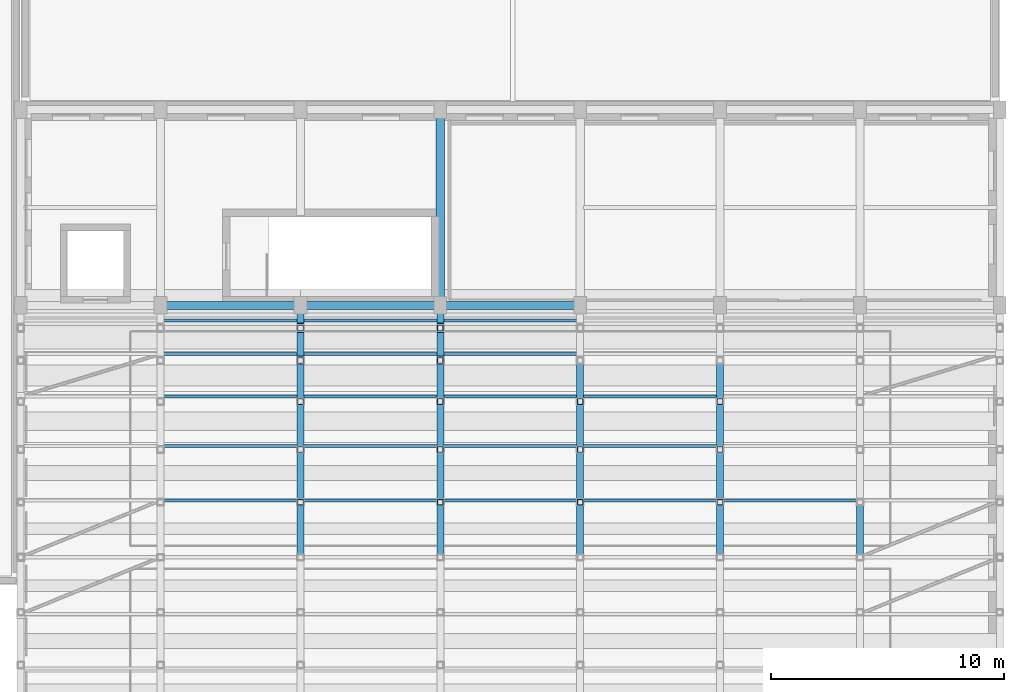
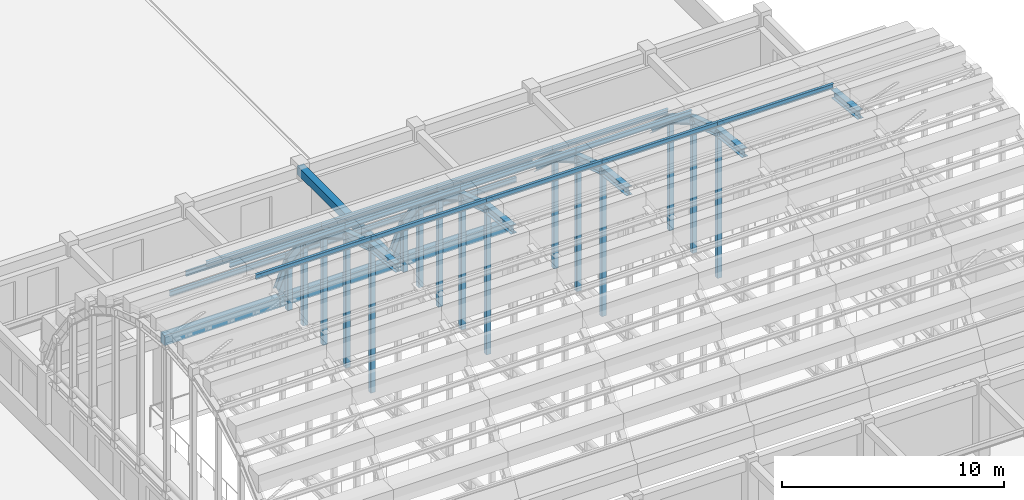
# One storey, part 9 of 46: 35 members, 25 beams.
"""IFC4 building model written with IfcOpenShell, lengths in metres."""

import ifcopenshell
import ifcopenshell.guid

model = None  # the IFC model being written
_history = None  # IfcOwnerHistory: only IFC2X3 demands one
_inside = {}  # id of a spatial element -> (the spatial element, [elements in it])
_under = {}  # id of a project, library or spatial element -> (it, [spatial elements below it])
_declared = {}  # id of a project -> (the project, [libraries it declares])
_typed = {}  # id of a type object -> (the type object, [elements of that type])
_made_of = {}  # id of a material, layer set ... -> (it, [elements and type objects made of it])


def new_model(schema):
    """Start an empty IFC model of exactly this schema.

    Asked for "IFC4X3", IfcOpenShell would pick the latest addendum, in which some entities
    have other attributes; the version numbers below select the first issue.
    IFC2X3 requires an IfcOwnerHistory on every rooted entity: one is made here for all.
    """
    global model, _history
    if schema == "IFC4X3":
        model = ifcopenshell.file(schema_version=(4, 3, 0, 0))
    else:
        model = ifcopenshell.file(schema=schema)
    _inside.clear()
    _under.clear()
    _declared.clear()
    _typed.clear()
    _made_of.clear()
    _history = None
    if model.schema == "IFC2X3":
        org = make("IfcOrganization", Name="unknown")
        user = make(
            "IfcPersonAndOrganization",
            ThePerson=make("IfcPerson", FamilyName="unknown"),
            TheOrganization=org,
        )
        app = make(
            "IfcApplication",
            ApplicationDeveloper=org,
            Version="unknown",
            ApplicationFullName="unknown",
            ApplicationIdentifier="unknown",
        )
        _history = make(
            "IfcOwnerHistory",
            OwningUser=user,
            OwningApplication=app,
            ChangeAction="ADDED",
            CreationDate=0,
        )
    return model


def make(cls, **values):
    """One entity of the class cls with the attributes given. An attribute that is None is left unset."""
    return model.create_entity(
        cls, **{name: value for name, value in values.items() if value is not None}
    )


def rooted(cls, **values):
    """An entity with a GlobalId (a new one), such as an element, a storey or a relation."""
    return make(cls, GlobalId=ifcopenshell.guid.new(), OwnerHistory=_history, **values)


def si_unit(unit_type, name, prefix=None):
    """IfcSIUnit, for example si_unit("LENGTHUNIT", "METRE", prefix="MILLI")."""
    return make("IfcSIUnit", UnitType=unit_type, Prefix=prefix, Name=name)


def assignment(units):
    """IfcUnitAssignment: the units of a project."""
    return None if units is None else make("IfcUnitAssignment", Units=units)


def point(xyz):
    """IfcCartesianPoint."""
    return None if xyz is None else make("IfcCartesianPoint", Coordinates=xyz)


def direction(xyz):
    """IfcDirection."""
    return None if xyz is None else make("IfcDirection", DirectionRatios=xyz)


def frame(location, z_axis=None, x_axis=None):
    """IfcAxis2Placement3D, a coordinate frame: its origin and axes. An axis left out is left unset."""
    return make(
        "IfcAxis2Placement3D",
        Location=point(location),
        Axis=direction(z_axis),
        RefDirection=direction(x_axis),
    )


def frame_2d(location, x_axis=None):
    """IfcAxis2Placement2D, a coordinate frame in the plane: its origin and x axis."""
    return make(
        "IfcAxis2Placement2D", Location=point(location), RefDirection=direction(x_axis)
    )


def origin():
    """The frame at (0, 0, 0) with its axes left unset."""
    return frame((0.0, 0.0, 0.0))


def origin_2d():
    """The frame at (0, 0) in the plane with its x axis left unset."""
    return frame_2d((0.0, 0.0))


def place(relative_to, where):
    """IfcLocalPlacement: puts the frame where relative to a parent placement (None: the world)."""
    return make(
        "IfcLocalPlacement", PlacementRelTo=relative_to, RelativePlacement=where
    )


def context(
    kind, dimensions, precision=None, world=None, true_north=None, identifier=None
):
    """IfcGeometricRepresentationContext, for example the 3D "Model" context."""
    return make(
        "IfcGeometricRepresentationContext",
        ContextIdentifier=identifier,
        ContextType=kind,
        CoordinateSpaceDimension=dimensions,
        Precision=precision,
        WorldCoordinateSystem=world,
        TrueNorth=true_north,
    )


def subcontext(parent, identifier, kind, view, scale=None):
    """IfcGeometricRepresentationSubContext, for example "Body" below "Model"."""
    return make(
        "IfcGeometricRepresentationSubContext",
        ContextIdentifier=identifier,
        ContextType=kind,
        ParentContext=parent,
        TargetScale=scale,
        TargetView=view,
    )


def project(units=None, contexts=None):
    """IfcProject with its units and contexts."""
    return rooted(
        "IfcProject",
        Name="project",
        RepresentationContexts=contexts,
        UnitsInContext=assignment(units),
    )


def spatial(cls, under=None, at=None, **own):
    """A site, building, storey or space (cls), placed at a placement, below another one or the project."""
    s = rooted(cls, ObjectPlacement=at, **own)
    if under is not None:
        _under.setdefault(under.id(), (under, []))[1].append(s)
    return s


def profile(cls, at=None, kind="AREA", **sizes):
    """A parametric profile (cls). Its sizes go by their IFC names, for example OverallWidth=200.0."""
    return make(cls, ProfileType=kind, Position=at, **sizes)


def rectangle(**sizes):
    """IfcRectangleProfileDef."""
    return profile("IfcRectangleProfileDef", **sizes)


def hollow_rectangle(**sizes):
    """IfcRectangleHollowProfileDef."""
    return profile("IfcRectangleHollowProfileDef", **sizes)


def i_section(**sizes):
    """IfcIShapeProfileDef."""
    return profile("IfcIShapeProfileDef", **sizes)


def extrude(swept, where, along, depth):
    """IfcExtrudedAreaSolid: the profile swept, set in the frame where, extruded along a direction by depth."""
    return make(
        "IfcExtrudedAreaSolid",
        SweptArea=swept,
        Position=where,
        ExtrudedDirection=direction(along),
        Depth=depth,
    )


def shape(context_of_items, identifier, shape_type, items):
    """IfcShapeRepresentation: the items that make up one representation, for example the "Body"."""
    return make(
        "IfcShapeRepresentation",
        ContextOfItems=context_of_items,
        RepresentationIdentifier=identifier,
        RepresentationType=shape_type,
        Items=items,
    )


def material(Name=None, Category=None):
    """IfcMaterial."""
    return make("IfcMaterial", Name=Name, Category=Category)


def material_profile(
    of_material, cross_section, Name=None, Category=None, Priority=None
):
    """IfcMaterialProfile: a cross section and its material."""
    return make(
        "IfcMaterialProfile",
        Name=Name,
        Material=of_material,
        Profile=cross_section,
        Priority=Priority,
        Category=Category,
    )


def profile_set(profiles, Name=None, composite=None):
    """IfcMaterialProfileSet."""
    return make(
        "IfcMaterialProfileSet",
        Name=Name,
        MaterialProfiles=profiles,
        CompositeProfile=composite,
    )


def made_of(thing, what):
    """Note that an element or type object is made of a material, layer set ...; save() writes the relation."""
    if what is not None:
        _made_of.setdefault(what.id(), (what, []))[1].append(thing)
    return thing


def type_object(cls, material=None, **own):
    """A type object (cls), such as IfcWallType, which elements share."""
    return made_of(rooted(cls, **own), material)


def element(
    cls,
    number,
    at=None,
    inside=None,
    cuts=None,
    type_object=None,
    material=None,
    context=None,
    identifier="Body",
    shape_type=None,
    held_by="IfcProductDefinitionShape",
    body=None,
    shapes=None,
    **own,
):
    """One element of the class cls, such as IfcWall. Its Tag is "e" and its number.

    at: its placement. inside: the storey or other place that contains it. cuts: it is an
    opening in that element (IfcRelVoidsElement). A single representation is given by context,
    identifier, shape_type and body (its items); several are given by shapes. held_by: the class
    of the entity that holds the representations. save() writes the other relations.
    """
    e = rooted(cls, Tag="e%d" % number, ObjectPlacement=at, **own)
    if body is not None:
        shapes = [shape(context, identifier, shape_type, body)]
    if shapes is not None:
        e.Representation = make(held_by, Representations=shapes)
    if inside is not None:
        _inside.setdefault(inside.id(), (inside, []))[1].append(e)
    if cuts is not None:
        rooted(
            "IfcRelVoidsElement", RelatingBuildingElement=cuts, RelatedOpeningElement=e
        )
    if type_object is not None:
        _typed.setdefault(type_object.id(), (type_object, []))[1].append(e)
    return made_of(e, material)


def aggregate(whole, parts):
    """IfcRelAggregates: a whole, such as a stair, and the parts it consists of."""
    return rooted("IfcRelAggregates", RelatingObject=whole, RelatedObjects=parts)


def save(model, path):
    """Write the relations noted so far, then the file.

    IfcRelAggregates (storeys below a building ...), IfcRelContainedInSpatialStructure (elements
    in a storey), IfcRelDefinesByType, IfcRelAssociatesMaterial and IfcRelDeclares: one each for
    every whole, place, type object, material and project.
    """
    for whole, parts in _under.values():
        aggregate(whole, parts)
    for where, things in _inside.values():
        rooted(
            "IfcRelContainedInSpatialStructure",
            RelatedElements=things,
            RelatingStructure=where,
        )
    for kind, things in _typed.values():
        rooted("IfcRelDefinesByType", RelatedObjects=things, RelatingType=kind)
    for what, things in _made_of.values():
        rooted("IfcRelAssociatesMaterial", RelatedObjects=things, RelatingMaterial=what)
    for by, libraries in _declared.values():
        rooted("IfcRelDeclares", RelatingContext=by, RelatedDefinitions=libraries)
    model.write(path)


model = new_model("IFC4")

# Units and contexts
model_context = context("Model", 3, precision=1e-05, world=origin(), true_north=direction((0.0, 1.0)))
body_context = subcontext(model_context, "Body", "Model", "MODEL_VIEW")
ifc_project = project(units=[si_unit("LENGTHUNIT", "METRE"), si_unit("AREAUNIT", "SQUARE_METRE"), si_unit("VOLUMEUNIT", "CUBIC_METRE"), si_unit("PLANEANGLEUNIT", "RADIAN"), si_unit("MASSUNIT", "GRAM", prefix="KILO")], contexts=[model_context])

# Site, building, storey
site_placement = place(None, origin())
site = spatial("IfcSite", under=ifc_project, at=site_placement, CompositionType="ELEMENT")
building_placement = place(site_placement, origin())
building = spatial("IfcBuilding", under=site, at=building_placement, Name="Tarnavel Promenade Courthouse", CompositionType="ELEMENT")
storey_placement = place(building_placement, frame((0.0, 0.0, 14.39990234375)))
storey = spatial("IfcBuildingStorey", under=building, at=storey_placement, Name="L04", CompositionType="ELEMENT", Elevation=14.39990234375)

# Beams
ifc_material_1 = material(Name="Concrete C40/50", Category="concrete")
ifc_material_profile_1 = material_profile(ifc_material_1, rectangle(XDim=0.35009765625, YDim=0.449951171875, at=origin_2d()), Name="RC 350x450")
ifc_profile_set_1 = profile_set([ifc_material_profile_1], Name="Concrete C40/50")
beam_type_1 = type_object("IfcBeamType", Name="Concrete C40/50 BM-RC-350x450 (RC 350x450)", PredefinedType="BEAM", material=ifc_profile_set_1)
beam_1_placement = place(storey_placement, frame((138.0, 58.800048828125, 3.72998046875), z_axis=(0.0, 1.0, 0.0), x_axis=(-1.0, 0.0, 0.0)))
element("IfcBeam", 1, at=beam_1_placement, inside=storey, type_object=beam_type_1, Name="L04 Transverse Girder 2124", PredefinedType="BEAM", context=body_context, shape_type="SweptSolid", body=[
    extrude(rectangle(XDim=0.35009765625, YDim=0.449951171875, at=origin_2d()), origin(), (0.0, 0.0, 1.0), 8.39990234375),
])
ifc_material_profile_2 = material_profile(ifc_material_1, rectangle(XDim=0.35009765625, YDim=0.550048828125, at=origin_2d()), Name="RC 350x550")
ifc_profile_set_2 = profile_set([ifc_material_profile_2], Name="Concrete C40/50")
beam_type_2 = type_object("IfcBeamType", Name="Concrete C40/50 BM-RC-350x550 (RC 350x550)", PredefinedType="BEAM", material=ifc_profile_set_2)
for number, where, z_axis, x_axis, name in (
    (2, (126.0, 58.800048828125, 3.68017578125), (1.0, 0.0, 0.0), (0.0, 1.0, 0.0), "L04 Primary Longitudinal Beam 2005"),
    (3, (132.0, 58.800048828125, 3.68017578125), (1.0, 0.0, 0.0), (0.0, 1.0, 0.0), "L04 Primary Longitudinal Beam 2006"),
    (4, (138.0, 58.800048828125, 3.68017578125), (1.0, 0.0, 0.0), (0.0, 1.0, 0.0), "L04 Primary Longitudinal Beam 2007"),
):
    element("IfcBeam", number, at=place(storey_placement, frame(where, z_axis=z_axis, x_axis=x_axis)), inside=storey, type_object=beam_type_2, Name=name, PredefinedType="BEAM", context=body_context, shape_type="SweptSolid", body=[
        extrude(rectangle(XDim=0.35009765625, YDim=0.550048828125, at=origin_2d()), origin(), (0.0, 0.0, 1.0), 6.0),
    ])
ifc_material_2 = material(Name="Steel S355J2", Category="steel")
ifc_material_profile_3 = material_profile(ifc_material_2, i_section(OverallWidth=0.300048828125, OverallDepth=0.449951171875, WebThickness=0.013916015625, FlangeThickness=0.02587890625, FilletRadius=0.027099609375, at=origin_2d()), Name="HEB 450")
ifc_profile_set_3 = profile_set([ifc_material_profile_3], Name="Steel S355J2")
beam_type_3 = type_object("IfcBeamType", Name="Steel S355J2 BM-AR-HEB450 (HEB 450)", PredefinedType="T_BEAM", material=ifc_profile_set_3)
beam_2_placement = place(storey_placement, frame((132.0, 48.0, 12.050048828125), z_axis=(0.0, 0.994517278414, -0.104572381322), x_axis=(-1.0, 0.0, 0.0)))
element("IfcBeam", 5, at=beam_2_placement, inside=storey, type_object=beam_type_3, Name="V1 Barrel Vault Arch Rib 03 Chord 07", PredefinedType="T_BEAM", context=body_context, shape_type="SweptSolid", body=[
    extrude(i_section(OverallWidth=0.300048828125, OverallDepth=0.449951171875, WebThickness=0.013916015625, FlangeThickness=0.02587890625, FilletRadius=0.027099609375, at=origin_2d()), origin(), (0.0, 0.0, 1.0), 2.374267578125),
])
for number, where, z_axis, x_axis, name in (
    (6, (132.0, 50.361328125, 11.8017578125), (0.0, 0.951041624123, -0.309062824012), (-1.0, 0.0, 0.0), "V1 Barrel Vault Arch Rib 03 Chord 08"),
    (7, (132.0, 52.61962890625, 11.06787109375), (0.0, 0.86595611672, -0.500119989518), (-1.0, 0.0, 0.0), "V1 Barrel Vault Arch Rib 03 Chord 09"),
    (8, (132.0, 54.67578125, 9.88037109375), (0.0, 0.742956629711, -0.669339559842), (-1.0, 0.0, 0.0), "V1 Barrel Vault Arch Rib 03 Chord 10"),
    (9, (132.0, 56.43994140625, 8.291015625), (0.0, 0.587523453946, -0.809207137304), (-1.0, 0.0, 0.0), "V1 Barrel Vault Arch Rib 03 Chord 11"),
    (10, (132.0, 57.8349609375, 6.36962890625), (0.0, 0.406453266448, -0.91367157239), (-1.0, 0.0, 0.0), "V1 Barrel Vault Arch Rib 03 Chord 12"),
):
    element("IfcBeam", number, at=place(storey_placement, frame(where, z_axis=z_axis, x_axis=x_axis)), inside=storey, type_object=beam_type_3, Name=name, PredefinedType="T_BEAM", context=body_context, shape_type="SweptSolid", body=[
        extrude(i_section(OverallWidth=0.300048828125, OverallDepth=0.449951171875, WebThickness=0.013916015625, FlangeThickness=0.02587890625, FilletRadius=0.027099609375, at=origin_2d()), origin(), (0.0, 0.0, 1.0), 2.37451171875),
    ])
beam_3_placement = place(storey_placement, frame((138.0, 48.0, 12.050048828125), z_axis=(0.0, 0.994517278414, -0.104572381322), x_axis=(-1.0, 0.0, 0.0)))
element("IfcBeam", 11, at=beam_3_placement, inside=storey, type_object=beam_type_3, Name="V1 Barrel Vault Arch Rib 04 Chord 07", PredefinedType="T_BEAM", context=body_context, shape_type="SweptSolid", body=[
    extrude(i_section(OverallWidth=0.300048828125, OverallDepth=0.449951171875, WebThickness=0.013916015625, FlangeThickness=0.02587890625, FilletRadius=0.027099609375, at=origin_2d()), origin(), (0.0, 0.0, 1.0), 2.374267578125),
])
for number, where, z_axis, x_axis, name in (
    (12, (138.0, 50.361328125, 11.8017578125), (0.0, 0.951041624123, -0.309062824012), (-1.0, 0.0, 0.0), "V1 Barrel Vault Arch Rib 04 Chord 08"),
    (13, (138.0, 52.61962890625, 11.06787109375), (0.0, 0.86595611672, -0.500119989518), (-1.0, 0.0, 0.0), "V1 Barrel Vault Arch Rib 04 Chord 09"),
    (14, (138.0, 54.67578125, 9.88037109375), (0.0, 0.742956629711, -0.669339559842), (-1.0, 0.0, 0.0), "V1 Barrel Vault Arch Rib 04 Chord 10"),
    (15, (138.0, 56.43994140625, 8.291015625), (0.0, 0.587523453946, -0.809207137304), (-1.0, 0.0, 0.0), "V1 Barrel Vault Arch Rib 04 Chord 11"),
    (16, (138.0, 57.8349609375, 6.36962890625), (0.0, 0.406453266448, -0.91367157239), (-1.0, 0.0, 0.0), "V1 Barrel Vault Arch Rib 04 Chord 12"),
):
    element("IfcBeam", number, at=place(storey_placement, frame(where, z_axis=z_axis, x_axis=x_axis)), inside=storey, type_object=beam_type_3, Name=name, PredefinedType="T_BEAM", context=body_context, shape_type="SweptSolid", body=[
        extrude(i_section(OverallWidth=0.300048828125, OverallDepth=0.449951171875, WebThickness=0.013916015625, FlangeThickness=0.02587890625, FilletRadius=0.027099609375, at=origin_2d()), origin(), (0.0, 0.0, 1.0), 2.37451171875),
    ])
beam_4_placement = place(storey_placement, frame((144.0, 48.0, 12.050048828125), z_axis=(0.0, 0.994517278414, -0.104572381322), x_axis=(-1.0, 0.0, 0.0)))
element("IfcBeam", 17, at=beam_4_placement, inside=storey, type_object=beam_type_3, Name="V1 Barrel Vault Arch Rib 05 Chord 07", PredefinedType="T_BEAM", context=body_context, shape_type="SweptSolid", body=[
    extrude(i_section(OverallWidth=0.300048828125, OverallDepth=0.449951171875, WebThickness=0.013916015625, FlangeThickness=0.02587890625, FilletRadius=0.027099609375, at=origin_2d()), origin(), (0.0, 0.0, 1.0), 2.374267578125),
])
for number, where, z_axis, x_axis, name in (
    (18, (144.0, 50.361328125, 11.8017578125), (0.0, 0.951041624123, -0.309062824012), (-1.0, 0.0, 0.0), "V1 Barrel Vault Arch Rib 05 Chord 08"),
    (19, (144.0, 52.61962890625, 11.06787109375), (0.0, 0.86595611672, -0.500119989518), (-1.0, 0.0, 0.0), "V1 Barrel Vault Arch Rib 05 Chord 09"),
    (20, (144.0, 54.67578125, 9.88037109375), (0.0, 0.742956629711, -0.669339559842), (-1.0, 0.0, 0.0), "V1 Barrel Vault Arch Rib 05 Chord 10"),
):
    element("IfcBeam", number, at=place(storey_placement, frame(where, z_axis=z_axis, x_axis=x_axis)), inside=storey, type_object=beam_type_3, Name=name, PredefinedType="T_BEAM", context=body_context, shape_type="SweptSolid", body=[
        extrude(i_section(OverallWidth=0.300048828125, OverallDepth=0.449951171875, WebThickness=0.013916015625, FlangeThickness=0.02587890625, FilletRadius=0.027099609375, at=origin_2d()), origin(), (0.0, 0.0, 1.0), 2.37451171875),
    ])
beam_5_placement = place(storey_placement, frame((150.0, 48.0, 12.050048828125), z_axis=(0.0, 0.994517278414, -0.104572381322), x_axis=(-1.0, 0.0, 0.0)))
element("IfcBeam", 21, at=beam_5_placement, inside=storey, type_object=beam_type_3, Name="V1 Barrel Vault Arch Rib 06 Chord 07", PredefinedType="T_BEAM", context=body_context, shape_type="SweptSolid", body=[
    extrude(i_section(OverallWidth=0.300048828125, OverallDepth=0.449951171875, WebThickness=0.013916015625, FlangeThickness=0.02587890625, FilletRadius=0.027099609375, at=origin_2d()), origin(), (0.0, 0.0, 1.0), 2.374267578125),
])
for number, where, z_axis, x_axis, name in (
    (22, (150.0, 50.361328125, 11.8017578125), (0.0, 0.951041624123, -0.309062824012), (-1.0, 0.0, 0.0), "V1 Barrel Vault Arch Rib 06 Chord 08"),
    (23, (150.0, 52.61962890625, 11.06787109375), (0.0, 0.86595611672, -0.500119989518), (-1.0, 0.0, 0.0), "V1 Barrel Vault Arch Rib 06 Chord 09"),
    (24, (150.0, 54.67578125, 9.88037109375), (0.0, 0.742956629711, -0.669339559842), (-1.0, 0.0, 0.0), "V1 Barrel Vault Arch Rib 06 Chord 10"),
):
    element("IfcBeam", number, at=place(storey_placement, frame(where, z_axis=z_axis, x_axis=x_axis)), inside=storey, type_object=beam_type_3, Name=name, PredefinedType="T_BEAM", context=body_context, shape_type="SweptSolid", body=[
        extrude(i_section(OverallWidth=0.300048828125, OverallDepth=0.449951171875, WebThickness=0.013916015625, FlangeThickness=0.02587890625, FilletRadius=0.027099609375, at=origin_2d()), origin(), (0.0, 0.0, 1.0), 2.37451171875),
    ])
beam_6_placement = place(storey_placement, frame((156.0, 48.0, 12.050048828125), z_axis=(0.0, 0.994517278414, -0.104572381322), x_axis=(-1.0, 0.0, 0.0)))
element("IfcBeam", 25, at=beam_6_placement, inside=storey, type_object=beam_type_3, Name="V1 Barrel Vault Arch Rib 07 Chord 07", PredefinedType="T_BEAM", context=body_context, shape_type="SweptSolid", body=[
    extrude(i_section(OverallWidth=0.300048828125, OverallDepth=0.449951171875, WebThickness=0.013916015625, FlangeThickness=0.02587890625, FilletRadius=0.027099609375, at=origin_2d()), origin(), (0.0, 0.0, 1.0), 2.374267578125),
])

# Members
ifc_material_profile_4 = material_profile(ifc_material_2, i_section(OverallWidth=0.135009765625, OverallDepth=0.27001953125, WebThickness=0.006591796875, FlangeThickness=0.01025390625, FilletRadius=0.014892578125, at=origin_2d()), Name="IPE 270")
ifc_profile_set_4 = profile_set([ifc_material_profile_4], Name="Steel S355J2")
member_type_1 = type_object("IfcMemberType", Name="Steel S355J2 MEM-PUR-IPE270 (IPE 270)", PredefinedType="PURLIN", material=ifc_profile_set_4)
for number, where, z_axis, x_axis, name in (
    (26, (126.0, 50.4384765625, 12.163818359375), (1.0, 0.0, 0.0), (0.0, 1.0, 0.0), "V1 Barrel Vault Purlin 02-07"),
    (27, (126.0, 52.770263671875, 11.40576171875), (1.0, 0.0, 0.0), (0.0, 1.0, 0.0), "V1 Barrel Vault Purlin 02-08"),
    (28, (126.0, 54.893310546875, 10.179443359375), (1.0, 0.0, 0.0), (0.0, 1.0, 0.0), "V1 Barrel Vault Purlin 02-09"),
    (29, (126.0, 56.715087890625, 8.53857421875), (1.0, 0.0, 0.0), (0.0, 1.0, 0.0), "V1 Barrel Vault Purlin 02-10"),
    (30, (126.0, 58.155517578125, 6.554443359375), (1.0, 0.0, 0.0), (0.0, 1.0, 0.0), "V1 Barrel Vault Purlin 02-11"),
    (31, (132.0, 50.4384765625, 12.163818359375), (1.0, 0.0, 0.0), (0.0, 1.0, 0.0), "V1 Barrel Vault Purlin 03-07"),
    (32, (132.0, 52.770263671875, 11.40576171875), (1.0, 0.0, 0.0), (0.0, 1.0, 0.0), "V1 Barrel Vault Purlin 03-08"),
    (33, (132.0, 54.893310546875, 10.179443359375), (1.0, 0.0, 0.0), (0.0, 1.0, 0.0), "V1 Barrel Vault Purlin 03-09"),
    (34, (132.0, 56.715087890625, 8.53857421875), (1.0, 0.0, 0.0), (0.0, 1.0, 0.0), "V1 Barrel Vault Purlin 03-10"),
    (35, (132.0, 58.155517578125, 6.554443359375), (1.0, 0.0, 0.0), (0.0, 1.0, 0.0), "V1 Barrel Vault Purlin 03-11"),
    (36, (138.0, 50.4384765625, 12.163818359375), (1.0, 0.0, 0.0), (0.0, 1.0, 0.0), "V1 Barrel Vault Purlin 04-07"),
    (37, (138.0, 52.770263671875, 11.40576171875), (1.0, 0.0, 0.0), (0.0, 1.0, 0.0), "V1 Barrel Vault Purlin 04-08"),
    (38, (138.0, 54.893310546875, 10.179443359375), (1.0, 0.0, 0.0), (0.0, 1.0, 0.0), "V1 Barrel Vault Purlin 04-09"),
    (39, (138.0, 56.715087890625, 8.53857421875), (1.0, 0.0, 0.0), (0.0, 1.0, 0.0), "V1 Barrel Vault Purlin 04-10"),
    (40, (138.0, 58.155517578125, 6.554443359375), (1.0, 0.0, 0.0), (0.0, 1.0, 0.0), "V1 Barrel Vault Purlin 04-11"),
    (41, (144.0, 50.4384765625, 12.163818359375), (1.0, 0.0, 0.0), (0.0, 1.0, 0.0), "V1 Barrel Vault Purlin 05-07"),
    (42, (144.0, 52.770263671875, 11.40576171875), (1.0, 0.0, 0.0), (0.0, 1.0, 0.0), "V1 Barrel Vault Purlin 05-08"),
    (43, (144.0, 54.893310546875, 10.179443359375), (1.0, 0.0, 0.0), (0.0, 1.0, 0.0), "V1 Barrel Vault Purlin 05-09"),
    (44, (150.0, 50.4384765625, 12.163818359375), (1.0, 0.0, 0.0), (0.0, 1.0, 0.0), "V1 Barrel Vault Purlin 06-07"),
):
    element("IfcMember", number, at=place(storey_placement, frame(where, z_axis=z_axis, x_axis=x_axis)), inside=storey, type_object=member_type_1, Name=name, PredefinedType="PURLIN", context=body_context, shape_type="SweptSolid", body=[
        extrude(i_section(OverallWidth=0.135009765625, OverallDepth=0.27001953125, WebThickness=0.006591796875, FlangeThickness=0.01025390625, FilletRadius=0.014892578125, at=origin_2d()), origin(), (0.0, 0.0, 1.0), 6.0),
    ])
ifc_material_profile_5 = material_profile(ifc_material_2, hollow_rectangle(XDim=0.25, YDim=0.25, WallThickness=0.012451171875, InnerFilletRadius=0.012451171875, OuterFilletRadius=0.02490234375, at=origin_2d()), Name="SHS 250x250x12.5")
ifc_profile_set_5 = profile_set([ifc_material_profile_5], Name="Steel S355J2")
member_type_2 = type_object("IfcMemberType", Name="Steel S355J2 MEM-STR-SHS250 (SHS 250x250x12.5)", PredefinedType="STRUT", material=ifc_profile_set_5)
member_1_placement = place(storey_placement, frame((132.0, 50.361328125, 3.820068359375), z_axis=(0.0, 0.0, 1.0), x_axis=(1.0, 0.0, 0.0)))
element("IfcMember", 45, at=member_1_placement, inside=storey, type_object=member_type_2, Name="V1 Vault Arch Web Strut 03-07", PredefinedType="STRUT", context=body_context, shape_type="SweptSolid", body=[
    extrude(hollow_rectangle(XDim=0.25, YDim=0.25, WallThickness=0.012451171875, InnerFilletRadius=0.012451171875, OuterFilletRadius=0.02490234375, at=origin_2d()), origin(), (0.0, 0.0, 1.0), 7.981689453125),
])
member_2_placement = place(storey_placement, frame((132.0, 52.61962890625, 3.820068359375), z_axis=(0.0, 0.0, 1.0), x_axis=(1.0, 0.0, 0.0)))
element("IfcMember", 46, at=member_2_placement, inside=storey, type_object=member_type_2, Name="V1 Vault Arch Web Strut 03-08", PredefinedType="STRUT", context=body_context, shape_type="SweptSolid", body=[
    extrude(hollow_rectangle(XDim=0.25, YDim=0.25, WallThickness=0.012451171875, InnerFilletRadius=0.012451171875, OuterFilletRadius=0.02490234375, at=origin_2d()), origin(), (0.0, 0.0, 1.0), 7.247802734375),
])
member_3_placement = place(storey_placement, frame((132.0, 54.67578125, 3.820068359375), z_axis=(0.0, 0.0, 1.0), x_axis=(1.0, 0.0, 0.0)))
element("IfcMember", 47, at=member_3_placement, inside=storey, type_object=member_type_2, Name="V1 Vault Arch Web Strut 03-09", PredefinedType="STRUT", context=body_context, shape_type="SweptSolid", body=[
    extrude(hollow_rectangle(XDim=0.25, YDim=0.25, WallThickness=0.012451171875, InnerFilletRadius=0.012451171875, OuterFilletRadius=0.02490234375, at=origin_2d()), origin(), (0.0, 0.0, 1.0), 6.060302734375),
])
member_4_placement = place(storey_placement, frame((132.0, 56.43994140625, 3.820068359375), z_axis=(0.0, 0.0, 1.0), x_axis=(1.0, 0.0, 0.0)))
element("IfcMember", 48, at=member_4_placement, inside=storey, type_object=member_type_2, Name="V1 Vault Arch Web Strut 03-10", PredefinedType="STRUT", context=body_context, shape_type="SweptSolid", body=[
    extrude(hollow_rectangle(XDim=0.25, YDim=0.25, WallThickness=0.012451171875, InnerFilletRadius=0.012451171875, OuterFilletRadius=0.02490234375, at=origin_2d()), origin(), (0.0, 0.0, 1.0), 4.470947265625),
])
member_5_placement = place(storey_placement, frame((132.0, 57.8349609375, 3.820068359375), z_axis=(0.0, 0.0, 1.0), x_axis=(1.0, 0.0, 0.0)))
element("IfcMember", 49, at=member_5_placement, inside=storey, type_object=member_type_2, Name="V1 Vault Arch Web Strut 03-11", PredefinedType="STRUT", context=body_context, shape_type="SweptSolid", body=[
    extrude(hollow_rectangle(XDim=0.25, YDim=0.25, WallThickness=0.012451171875, InnerFilletRadius=0.012451171875, OuterFilletRadius=0.02490234375, at=origin_2d()), origin(), (0.0, 0.0, 1.0), 2.549560546875),
])
member_6_placement = place(storey_placement, frame((138.0, 50.361328125, 3.820068359375), z_axis=(0.0, 0.0, 1.0), x_axis=(1.0, 0.0, 0.0)))
element("IfcMember", 50, at=member_6_placement, inside=storey, type_object=member_type_2, Name="V1 Vault Arch Web Strut 04-07", PredefinedType="STRUT", context=body_context, shape_type="SweptSolid", body=[
    extrude(hollow_rectangle(XDim=0.25, YDim=0.25, WallThickness=0.012451171875, InnerFilletRadius=0.012451171875, OuterFilletRadius=0.02490234375, at=origin_2d()), origin(), (0.0, 0.0, 1.0), 7.981689453125),
])
member_7_placement = place(storey_placement, frame((138.0, 52.61962890625, 3.820068359375), z_axis=(0.0, 0.0, 1.0), x_axis=(1.0, 0.0, 0.0)))
element("IfcMember", 51, at=member_7_placement, inside=storey, type_object=member_type_2, Name="V1 Vault Arch Web Strut 04-08", PredefinedType="STRUT", context=body_context, shape_type="SweptSolid", body=[
    extrude(hollow_rectangle(XDim=0.25, YDim=0.25, WallThickness=0.012451171875, InnerFilletRadius=0.012451171875, OuterFilletRadius=0.02490234375, at=origin_2d()), origin(), (0.0, 0.0, 1.0), 7.247802734375),
])
member_8_placement = place(storey_placement, frame((138.0, 54.67578125, 3.820068359375), z_axis=(0.0, 0.0, 1.0), x_axis=(1.0, 0.0, 0.0)))
element("IfcMember", 52, at=member_8_placement, inside=storey, type_object=member_type_2, Name="V1 Vault Arch Web Strut 04-09", PredefinedType="STRUT", context=body_context, shape_type="SweptSolid", body=[
    extrude(hollow_rectangle(XDim=0.25, YDim=0.25, WallThickness=0.012451171875, InnerFilletRadius=0.012451171875, OuterFilletRadius=0.02490234375, at=origin_2d()), origin(), (0.0, 0.0, 1.0), 6.060302734375),
])
member_9_placement = place(storey_placement, frame((138.0, 56.43994140625, 3.820068359375), z_axis=(0.0, 0.0, 1.0), x_axis=(1.0, 0.0, 0.0)))
element("IfcMember", 53, at=member_9_placement, inside=storey, type_object=member_type_2, Name="V1 Vault Arch Web Strut 04-10", PredefinedType="STRUT", context=body_context, shape_type="SweptSolid", body=[
    extrude(hollow_rectangle(XDim=0.25, YDim=0.25, WallThickness=0.012451171875, InnerFilletRadius=0.012451171875, OuterFilletRadius=0.02490234375, at=origin_2d()), origin(), (0.0, 0.0, 1.0), 4.470947265625),
])
member_10_placement = place(storey_placement, frame((138.0, 57.8349609375, 3.820068359375), z_axis=(0.0, 0.0, 1.0), x_axis=(1.0, 0.0, 0.0)))
element("IfcMember", 54, at=member_10_placement, inside=storey, type_object=member_type_2, Name="V1 Vault Arch Web Strut 04-11", PredefinedType="STRUT", context=body_context, shape_type="SweptSolid", body=[
    extrude(hollow_rectangle(XDim=0.25, YDim=0.25, WallThickness=0.012451171875, InnerFilletRadius=0.012451171875, OuterFilletRadius=0.02490234375, at=origin_2d()), origin(), (0.0, 0.0, 1.0), 2.549560546875),
])
member_11_placement = place(storey_placement, frame((144.0, 50.361328125, 3.820068359375), z_axis=(0.0, 0.0, 1.0), x_axis=(1.0, 0.0, 0.0)))
element("IfcMember", 55, at=member_11_placement, inside=storey, type_object=member_type_2, Name="V1 Vault Arch Web Strut 05-07", PredefinedType="STRUT", context=body_context, shape_type="SweptSolid", body=[
    extrude(hollow_rectangle(XDim=0.25, YDim=0.25, WallThickness=0.012451171875, InnerFilletRadius=0.012451171875, OuterFilletRadius=0.02490234375, at=origin_2d()), origin(), (0.0, 0.0, 1.0), 7.981689453125),
])
member_12_placement = place(storey_placement, frame((144.0, 52.61962890625, 3.820068359375), z_axis=(0.0, 0.0, 1.0), x_axis=(1.0, 0.0, 0.0)))
element("IfcMember", 56, at=member_12_placement, inside=storey, type_object=member_type_2, Name="V1 Vault Arch Web Strut 05-08", PredefinedType="STRUT", context=body_context, shape_type="SweptSolid", body=[
    extrude(hollow_rectangle(XDim=0.25, YDim=0.25, WallThickness=0.012451171875, InnerFilletRadius=0.012451171875, OuterFilletRadius=0.02490234375, at=origin_2d()), origin(), (0.0, 0.0, 1.0), 7.247802734375),
])
member_13_placement = place(storey_placement, frame((144.0, 54.67578125, 3.820068359375), z_axis=(0.0, 0.0, 1.0), x_axis=(1.0, 0.0, 0.0)))
element("IfcMember", 57, at=member_13_placement, inside=storey, type_object=member_type_2, Name="V1 Vault Arch Web Strut 05-09", PredefinedType="STRUT", context=body_context, shape_type="SweptSolid", body=[
    extrude(hollow_rectangle(XDim=0.25, YDim=0.25, WallThickness=0.012451171875, InnerFilletRadius=0.012451171875, OuterFilletRadius=0.02490234375, at=origin_2d()), origin(), (0.0, 0.0, 1.0), 6.060302734375),
])
member_14_placement = place(storey_placement, frame((150.0, 50.361328125, 3.820068359375), z_axis=(0.0, 0.0, 1.0), x_axis=(1.0, 0.0, 0.0)))
element("IfcMember", 58, at=member_14_placement, inside=storey, type_object=member_type_2, Name="V1 Vault Arch Web Strut 06-07", PredefinedType="STRUT", context=body_context, shape_type="SweptSolid", body=[
    extrude(hollow_rectangle(XDim=0.25, YDim=0.25, WallThickness=0.012451171875, InnerFilletRadius=0.012451171875, OuterFilletRadius=0.02490234375, at=origin_2d()), origin(), (0.0, 0.0, 1.0), 7.981689453125),
])
member_15_placement = place(storey_placement, frame((150.0, 52.61962890625, 3.820068359375), z_axis=(0.0, 0.0, 1.0), x_axis=(1.0, 0.0, 0.0)))
element("IfcMember", 59, at=member_15_placement, inside=storey, type_object=member_type_2, Name="V1 Vault Arch Web Strut 06-08", PredefinedType="STRUT", context=body_context, shape_type="SweptSolid", body=[
    extrude(hollow_rectangle(XDim=0.25, YDim=0.25, WallThickness=0.012451171875, InnerFilletRadius=0.012451171875, OuterFilletRadius=0.02490234375, at=origin_2d()), origin(), (0.0, 0.0, 1.0), 7.247802734375),
])
member_16_placement = place(storey_placement, frame((150.0, 54.67578125, 3.820068359375), z_axis=(0.0, 0.0, 1.0), x_axis=(1.0, 0.0, 0.0)))
element("IfcMember", 60, at=member_16_placement, inside=storey, type_object=member_type_2, Name="V1 Vault Arch Web Strut 06-09", PredefinedType="STRUT", context=body_context, shape_type="SweptSolid", body=[
    extrude(hollow_rectangle(XDim=0.25, YDim=0.25, WallThickness=0.012451171875, InnerFilletRadius=0.012451171875, OuterFilletRadius=0.02490234375, at=origin_2d()), origin(), (0.0, 0.0, 1.0), 6.060302734375),
])

save(model, "model.ifc")
